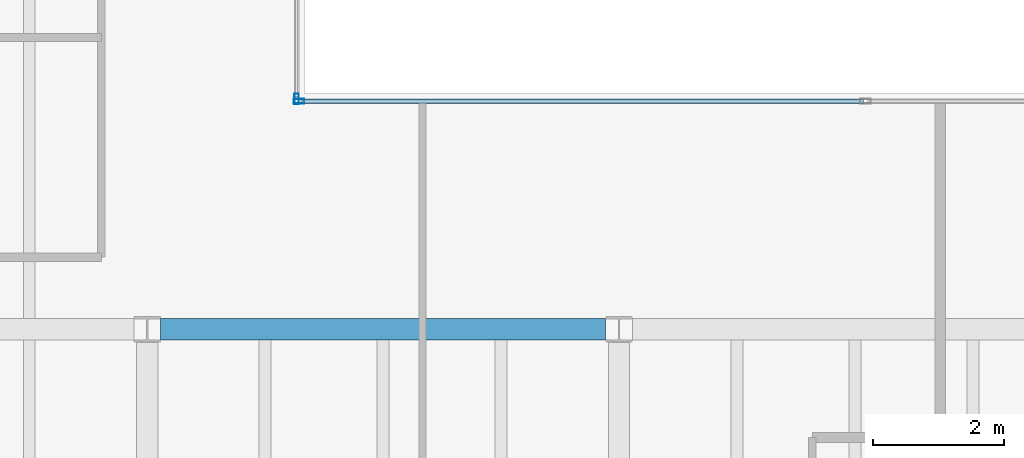
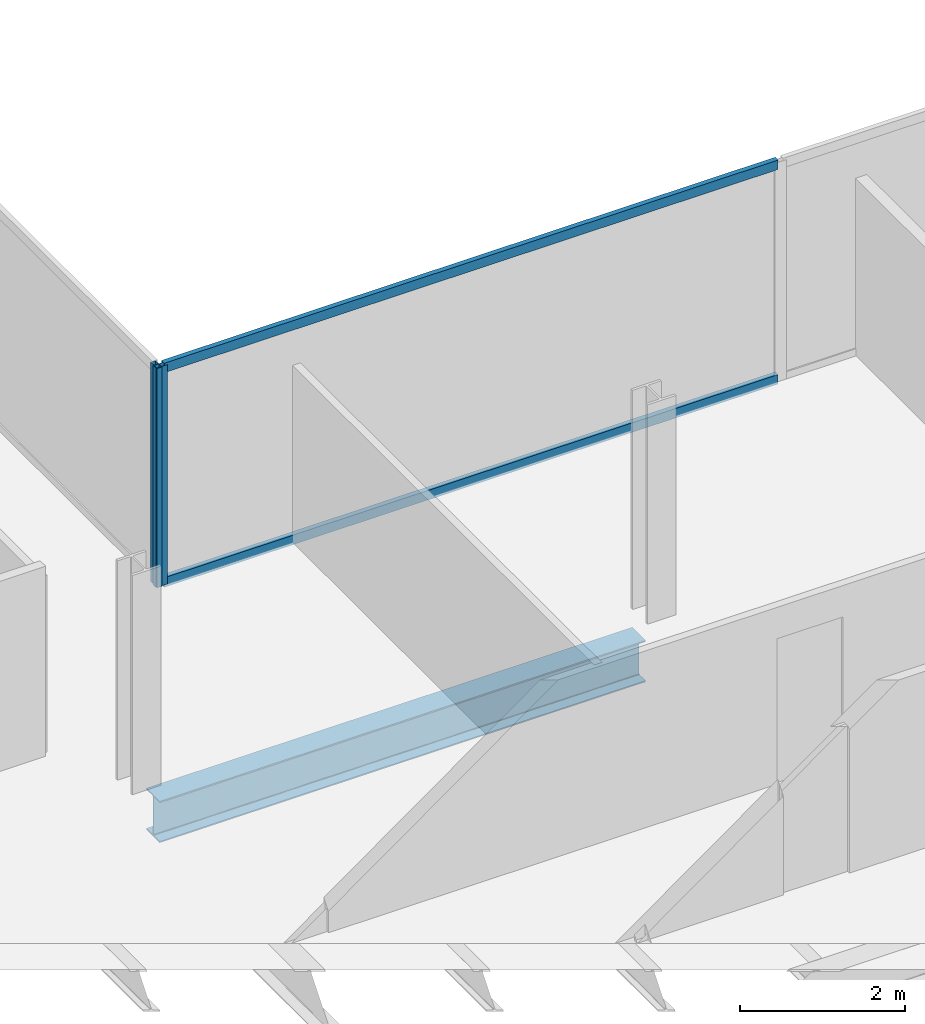
# One storey, part 8 of 23: 4 members, 1 beam, 2 elements without a shape of their own.
"""IFC4 building model written with IfcOpenShell, lengths in metres."""

from ifc_helpers import new_model, si_unit, direction, frame, origin, origin_2d, place, context, subcontext, project, spatial, hollow_rectangle, i_section, extrude, material, material_profile, profile_set, type_object, element, aggregate, save


model = new_model("IFC4")

# Units and contexts
model_context = context("Model", 3, precision=1e-05, world=origin(), true_north=direction((0.0, 1.0)))
body_context = subcontext(model_context, "Body", "Model", "MODEL_VIEW")
ifc_project = project(units=[si_unit("LENGTHUNIT", "METRE"), si_unit("AREAUNIT", "SQUARE_METRE"), si_unit("VOLUMEUNIT", "CUBIC_METRE"), si_unit("PLANEANGLEUNIT", "RADIAN"), si_unit("MASSUNIT", "GRAM", prefix="KILO")], contexts=[model_context])

# Site, building, storey
site_placement = place(None, origin())
site = spatial("IfcSite", under=ifc_project, at=site_placement, CompositionType="ELEMENT")
building_placement = place(site_placement, origin())
building = spatial("IfcBuilding", under=site, at=building_placement, Name="Cobrela Telecom Tower", CompositionType="ELEMENT")
storey_placement = place(building_placement, frame((0.0, 0.0, 215.25)))
storey = spatial("IfcBuildingStorey", under=building, at=storey_placement, Name="L55", CompositionType="ELEMENT", Elevation=215.25)

# Beam
ifc_material_1 = material(Name="Steel ASTM A992 Grade 50", Category="steel")
ifc_material_profile_1 = material_profile(ifc_material_1, i_section(OverallWidth=0.324951171875, OverallDepth=0.612060546875, WebThickness=0.0126953125, FlangeThickness=0.01904296875, FilletRadius=0.014892578125, at=origin_2d()), Name="W24X104")
ifc_profile_set_1 = profile_set([ifc_material_profile_1], Name="Steel ASTM A992 Grade 50")
beam_type = type_object("IfcBeamType", Name="BM-GIRD-07", PredefinedType="USERDEFINED", material=ifc_profile_set_1)
beam_placement = place(storey_placement, frame((21.804443359375, 21.60009765625, -0.56591796875), z_axis=(1.0, 0.0, 0.0), x_axis=(0.0, 1.0, 0.0)))
element("IfcBeam", 1, at=beam_placement, inside=storey, type_object=beam_type, Name="L55 Primary Girder X16", ObjectType="GIRDER", PredefinedType="USERDEFINED", context=body_context, shape_type="SweptSolid", body=[
    extrude(i_section(OverallWidth=0.324951171875, OverallDepth=0.612060546875, WebThickness=0.0126953125, FlangeThickness=0.01904296875, FilletRadius=0.014892578125, at=origin_2d()), origin(), (0.0, 0.0, 1.0), 6.791015625),
])

# Curtain wall, member
ifc_material_2 = material(Name="Anodized Bronze Aluminium 6063-T6", Category="aluminium")
curtain_wall_type = type_object("IfcCurtainWallType", Name="CW-SYS-OFF-LO", PredefinedType="USERDEFINED", material=ifc_material_2)
curtain_wall_1_placement = place(storey_placement, origin())
curtain_wall_1 = element("IfcCurtainWall", 2, at=curtain_wall_1_placement, inside=storey, type_object=curtain_wall_type, Name="L55 Unitised Bronze Curtain Wall 10", ObjectType="UNITISED CURTAIN WALL", PredefinedType="USERDEFINED")
ifc_material_profile_2 = material_profile(ifc_material_2, hollow_rectangle(XDim=0.070068359375, YDim=0.159912109375, WallThickness=0.00390625, at=origin_2d()), Name="ALU 70x160x4")
ifc_profile_set_2 = profile_set([ifc_material_profile_2], Name="Anodized Bronze Aluminium 6063-T6")
member_type_1 = type_object("IfcMemberType", Name="CW-SYS-OFF-LO-MUL", PredefinedType="MULLION", material=ifc_profile_set_2)
member_1_placement = place(storey_placement, frame((23.8798828125, 25.114990234375, 0.0), z_axis=(0.0, 0.0, 1.0), x_axis=(1.0, 0.0, 0.0)))
member_1 = element("IfcMember", 3, at=member_1_placement, type_object=member_type_1, Name="CW-OFF-LO mullion 3", PredefinedType="MULLION", context=body_context, shape_type="SweptSolid", body=[
    extrude(hollow_rectangle(XDim=0.070068359375, YDim=0.159912109375, WallThickness=0.00390625, at=origin_2d()), origin(), (0.0, 0.0, 1.0), 3.239990234375),
])
aggregate(curtain_wall_1, [member_1])

# Curtain wall, members
curtain_wall_2_placement = place(storey_placement, origin())
curtain_wall_2 = element("IfcCurtainWall", 4, at=curtain_wall_2_placement, inside=storey, type_object=curtain_wall_type, Name="L55 Unitised Bronze Curtain Wall 11", ObjectType="UNITISED CURTAIN WALL", PredefinedType="USERDEFINED")
member_2_placement = place(storey_placement, frame((23.9150390625, 25.080078125, 0.0), z_axis=(0.0, 0.0, 1.0), x_axis=(0.0, 1.0, 0.0)))
member_2 = element("IfcMember", 5, at=member_2_placement, type_object=member_type_1, Name="CW-OFF-LO mullion 1", PredefinedType="MULLION", context=body_context, shape_type="SweptSolid", body=[
    extrude(hollow_rectangle(XDim=0.070068359375, YDim=0.159912109375, WallThickness=0.00390625, at=origin_2d()), origin(), (0.0, 0.0, 1.0), 3.239990234375),
])
ifc_material_profile_3 = material_profile(ifc_material_2, hollow_rectangle(XDim=0.070068359375, YDim=0.139892578125, WallThickness=0.00390625, at=origin_2d()), Name="ALU 70x140x4")
ifc_profile_set_3 = profile_set([ifc_material_profile_3], Name="Anodized Bronze Aluminium 6063-T6")
member_type_2 = type_object("IfcMemberType", Name="CW-SYS-OFF-LO-TRN", PredefinedType="USERDEFINED", material=ifc_profile_set_3)
member_3_placement = place(storey_placement, frame((23.949951171875, 25.080078125, 0.034912109375), z_axis=(1.0, 0.0, 0.0), x_axis=(0.0, 1.0, 0.0)))
member_3 = element("IfcMember", 6, at=member_3_placement, type_object=member_type_2, Name="CW-OFF-LO transom 1.1", ObjectType="TRANSOM", PredefinedType="USERDEFINED", context=body_context, shape_type="SweptSolid", body=[
    extrude(hollow_rectangle(XDim=0.070068359375, YDim=0.139892578125, WallThickness=0.00390625, at=origin_2d()), origin(), (0.0, 0.0, 1.0), 8.580078125),
])
member_4_placement = place(storey_placement, frame((23.949951171875, 25.080078125, 3.205078125), z_axis=(1.0, 0.0, 0.0), x_axis=(0.0, 1.0, 0.0)))
member_4 = element("IfcMember", 7, at=member_4_placement, type_object=member_type_2, Name="CW-OFF-LO transom 1.2", ObjectType="TRANSOM", PredefinedType="USERDEFINED", context=body_context, shape_type="SweptSolid", body=[
    extrude(hollow_rectangle(XDim=0.070068359375, YDim=0.139892578125, WallThickness=0.00390625, at=origin_2d()), origin(), (0.0, 0.0, 1.0), 8.580078125),
])
aggregate(curtain_wall_2, [member_2, member_3, member_4])

save(model, "model.ifc")
